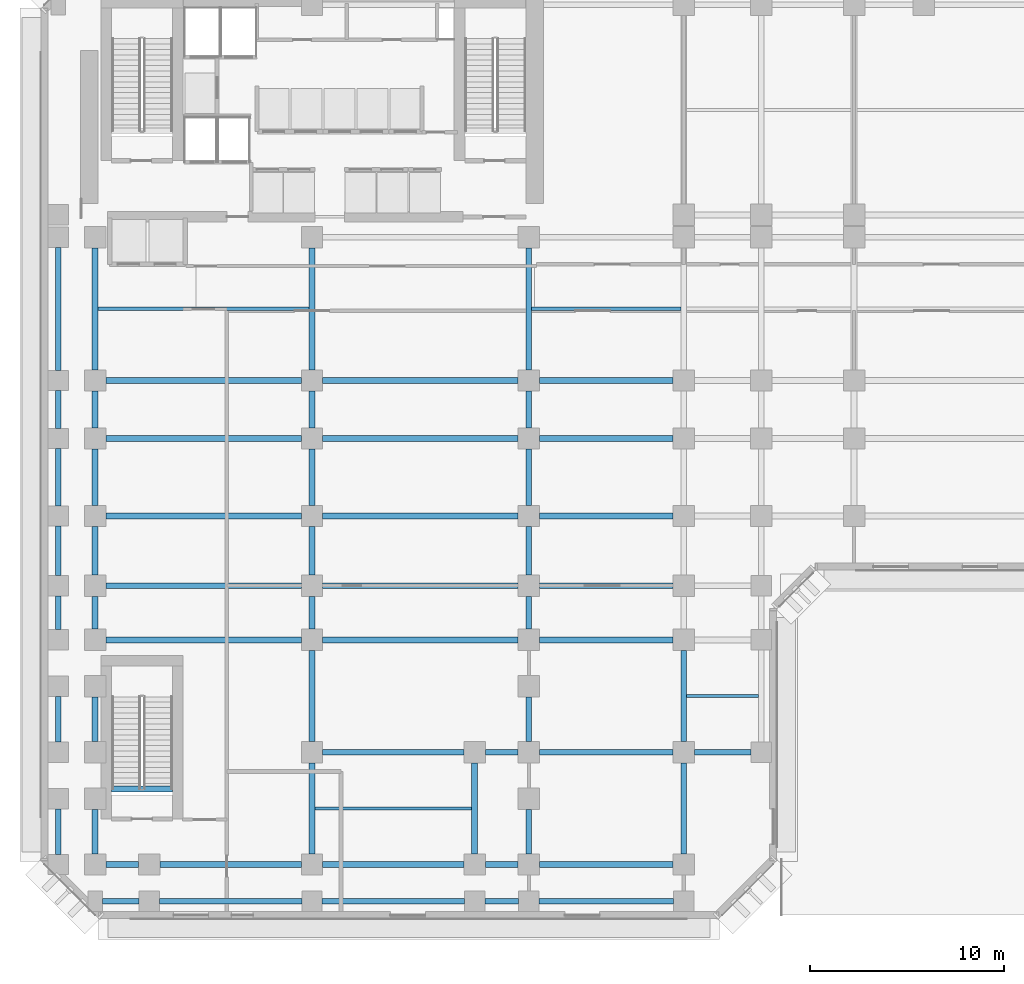
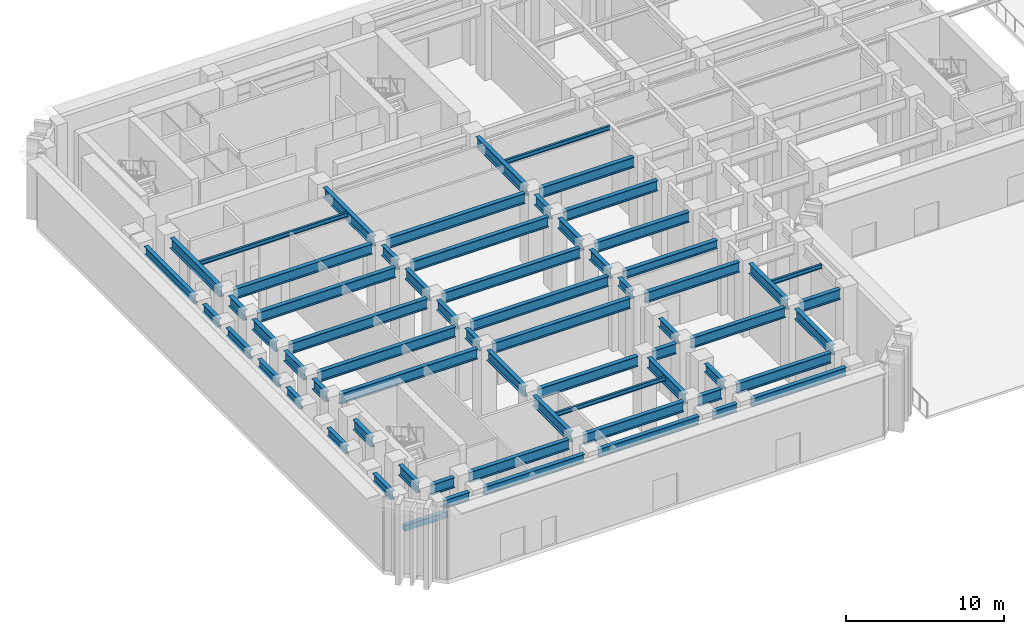
# One storey, part 3 of 18: 65 beams.
"""IFC4 building model written with IfcOpenShell, lengths in metres."""

from ifc_helpers import new_model, si_unit, direction, frame, origin, origin_2d, place, context, subcontext, project, spatial, rectangle, i_section, extrude, material, material_profile, profile_set, type_object, element, save


model = new_model("IFC4")

# Units and contexts
model_context = context("Model", 3, precision=1e-05, world=origin(), true_north=direction((0.0, 1.0)))
body_context = subcontext(model_context, "Body", "Model", "MODEL_VIEW")
ifc_project = project(units=[si_unit("LENGTHUNIT", "METRE"), si_unit("AREAUNIT", "SQUARE_METRE"), si_unit("VOLUMEUNIT", "CUBIC_METRE"), si_unit("PLANEANGLEUNIT", "RADIAN"), si_unit("MASSUNIT", "GRAM", prefix="KILO")], contexts=[model_context])

# Site, building, storey
site_placement = place(None, origin())
site = spatial("IfcSite", under=ifc_project, at=site_placement, CompositionType="ELEMENT")
building_placement = place(site_placement, origin())
building = spatial("IfcBuilding", under=site, at=building_placement, Name="Kefirva Bronze Tower", CompositionType="ELEMENT")
storey_placement = place(building_placement, origin())
storey = spatial("IfcBuildingStorey", under=building, at=storey_placement, Name="L00", CompositionType="ELEMENT", Elevation=0.0)

# Beams
ifc_material_1 = material(Name="Concrete C50/60", Category="concrete")
ifc_material_profile_1 = material_profile(ifc_material_1, rectangle(XDim=0.300048828125, YDim=0.449951171875, at=origin_2d()), Name="RC 300x450")
ifc_profile_set_1 = profile_set([ifc_material_profile_1], Name="Concrete C50/60")
beam_type_1 = type_object("IfcBeamType", Name="RC Stair Trimmer Beam 300x450", PredefinedType="BEAM", material=ifc_profile_set_1)
beam_1_placement = place(storey_placement, frame((1.64501953125, 4.699951171875, -0.22509765625), z_axis=(1.0, 0.0, 0.0), x_axis=(0.0, 1.0, 0.0)))
element("IfcBeam", 1, at=beam_1_placement, inside=storey, type_object=beam_type_1, Name="L00 Stair 3 Landing Trimmer Beam", PredefinedType="BEAM", context=body_context, shape_type="SweptSolid", body=[
    extrude(rectangle(XDim=0.300048828125, YDim=0.449951171875, at=origin_2d()), origin(), (0.0, 0.0, 1.0), 3.14990234375),
])
ifc_material_2 = material(Name="Steel S355", Category="steel")
ifc_material_profile_2 = material_profile(ifc_material_2, i_section(OverallWidth=0.159912109375, OverallDepth=0.330078125, WebThickness=0.007568359375, FlangeThickness=0.011474609375, at=origin_2d()), Name="IPE 330")
ifc_profile_set_2 = profile_set([ifc_material_profile_2], Name="Steel S355")
beam_type_2 = type_object("IfcBeamType", Name="Steel Floor Joist IPE 330", PredefinedType="JOIST", material=ifc_profile_set_2)
beam_2_placement = place(storey_placement, frame((0.949951171875, 29.5, 5.455078125), z_axis=(1.0, 0.0, 0.0), x_axis=(0.0, 1.0, 0.0)))
element("IfcBeam", 2, at=beam_2_placement, inside=storey, type_object=beam_type_2, Name="L00 JST-L00-0-295", PredefinedType="JOIST", context=body_context, shape_type="SweptSolid", body=[
    extrude(i_section(OverallWidth=0.159912109375, OverallDepth=0.330078125, WebThickness=0.007568359375, FlangeThickness=0.011474609375, at=origin_2d()), origin(), (0.0, 0.0, 1.0), 10.900146484375),
])
beam_3_placement = place(storey_placement, frame((12.14990234375, 3.699951171875, 5.455078125), z_axis=(1.0, 0.0, 0.0), x_axis=(0.0, 1.0, 0.0)))
element("IfcBeam", 3, at=beam_3_placement, inside=storey, type_object=beam_type_2, Name="L00 JST-L00-12-37", PredefinedType="JOIST", context=body_context, shape_type="SweptSolid", body=[
    extrude(i_section(OverallWidth=0.159912109375, OverallDepth=0.330078125, WebThickness=0.007568359375, FlangeThickness=0.011474609375, at=origin_2d()), origin(), (0.0, 0.0, 1.0), 8.10009765625),
])
beam_4_placement = place(storey_placement, frame((23.35009765625, 29.5, 5.455078125), z_axis=(1.0, 0.0, 0.0), x_axis=(0.0, 1.0, 0.0)))
element("IfcBeam", 4, at=beam_4_placement, inside=storey, type_object=beam_type_2, Name="L00 JST-L00-23-295", PredefinedType="JOIST", context=body_context, shape_type="SweptSolid", body=[
    extrude(i_section(OverallWidth=0.159912109375, OverallDepth=0.330078125, WebThickness=0.007568359375, FlangeThickness=0.011474609375, at=origin_2d()), origin(), (0.0, 0.0, 1.0), 7.699951171875),
])
beam_5_placement = place(storey_placement, frame((31.35009765625, 9.5, 5.455078125), z_axis=(1.0, 0.0, 0.0), x_axis=(0.0, 1.0, 0.0)))
element("IfcBeam", 5, at=beam_5_placement, inside=storey, type_object=beam_type_2, Name="L00 JST-L00-31-95", PredefinedType="JOIST", context=body_context, shape_type="SweptSolid", body=[
    extrude(i_section(OverallWidth=0.159912109375, OverallDepth=0.330078125, WebThickness=0.007568359375, FlangeThickness=0.011474609375, at=origin_2d()), origin(), (0.0, 0.0, 1.0), 3.699951171875),
])
ifc_material_profile_3 = material_profile(ifc_material_2, i_section(OverallWidth=0.300048828125, OverallDepth=0.800048828125, WebThickness=0.017578125, FlangeThickness=0.032958984375, at=origin_2d()), Name="HEB 800")
ifc_profile_set_3 = profile_set([ifc_material_profile_3], Name="Steel S355")
beam_type_3 = type_object("IfcBeamType", Name="Steel Girder HEB 800", PredefinedType="USERDEFINED", material=ifc_profile_set_3)
beam_6_placement = place(storey_placement, frame((1.35009765625, 0.800048828125, 5.219970703125), z_axis=(1.0, 0.0, 0.0), x_axis=(0.0, 1.0, 0.0)))
element("IfcBeam", 6, at=beam_6_placement, inside=storey, type_object=beam_type_3, Name="L00 BM-L00-EW-0-8", ObjectType="GIRDER", PredefinedType="USERDEFINED", context=body_context, shape_type="SweptSolid", body=[
    extrude(i_section(OverallWidth=0.300048828125, OverallDepth=0.800048828125, WebThickness=0.017578125, FlangeThickness=0.032958984375, at=origin_2d()), origin(), (0.0, 0.0, 1.0), 1.699951171875),
])
for number, where, z_axis, x_axis, name in (
    (7, (4.14990234375, 0.800048828125, 5.219970703125), (1.0, 0.0, 0.0), (0.0, 1.0, 0.0), "L00 BM-L00-EW-3-8"),
    (8, (12.550048828125, 0.800048828125, 5.219970703125), (1.0, 0.0, 0.0), (0.0, 1.0, 0.0), "L00 BM-L00-EW-12-8"),
):
    element("IfcBeam", number, at=place(storey_placement, frame(where, z_axis=z_axis, x_axis=x_axis)), inside=storey, type_object=beam_type_3, Name=name, ObjectType="GIRDER", PredefinedType="USERDEFINED", context=body_context, shape_type="SweptSolid", body=[
        extrude(i_section(OverallWidth=0.300048828125, OverallDepth=0.800048828125, WebThickness=0.017578125, FlangeThickness=0.032958984375, at=origin_2d()), origin(), (0.0, 0.0, 1.0), 7.300048828125),
    ])
beam_7_placement = place(storey_placement, frame((20.949951171875, 0.800048828125, 5.219970703125), z_axis=(1.0, 0.0, 0.0), x_axis=(0.0, 1.0, 0.0)))
element("IfcBeam", 9, at=beam_7_placement, inside=storey, type_object=beam_type_3, Name="L00 BM-L00-EW-20-8", ObjectType="GIRDER", PredefinedType="USERDEFINED", context=body_context, shape_type="SweptSolid", body=[
    extrude(i_section(OverallWidth=0.300048828125, OverallDepth=0.800048828125, WebThickness=0.017578125, FlangeThickness=0.032958984375, at=origin_2d()), origin(), (0.0, 0.0, 1.0), 1.699951171875),
])
beam_8_placement = place(storey_placement, frame((23.75, 0.800048828125, 5.219970703125), z_axis=(1.0, 0.0, 0.0), x_axis=(0.0, 1.0, 0.0)))
element("IfcBeam", 10, at=beam_8_placement, inside=storey, type_object=beam_type_3, Name="L00 BM-L00-EW-23-8", ObjectType="GIRDER", PredefinedType="USERDEFINED", context=body_context, shape_type="SweptSolid", body=[
    extrude(i_section(OverallWidth=0.300048828125, OverallDepth=0.800048828125, WebThickness=0.017578125, FlangeThickness=0.032958984375, at=origin_2d()), origin(), (0.0, 0.0, 1.0), 6.89990234375),
])
beam_9_placement = place(storey_placement, frame((12.550048828125, 6.60009765625, 5.219970703125), z_axis=(1.0, 0.0, 0.0), x_axis=(0.0, 1.0, 0.0)))
element("IfcBeam", 11, at=beam_9_placement, inside=storey, type_object=beam_type_3, Name="L00 BM-L00-EW-12-66", ObjectType="GIRDER", PredefinedType="USERDEFINED", context=body_context, shape_type="SweptSolid", body=[
    extrude(i_section(OverallWidth=0.300048828125, OverallDepth=0.800048828125, WebThickness=0.017578125, FlangeThickness=0.032958984375, at=origin_2d()), origin(), (0.0, 0.0, 1.0), 7.300048828125),
])
beam_10_placement = place(storey_placement, frame((20.949951171875, 6.60009765625, 5.219970703125), z_axis=(1.0, 0.0, 0.0), x_axis=(0.0, 1.0, 0.0)))
element("IfcBeam", 12, at=beam_10_placement, inside=storey, type_object=beam_type_3, Name="L00 BM-L00-EW-20-66", ObjectType="GIRDER", PredefinedType="USERDEFINED", context=body_context, shape_type="SweptSolid", body=[
    extrude(i_section(OverallWidth=0.300048828125, OverallDepth=0.800048828125, WebThickness=0.017578125, FlangeThickness=0.032958984375, at=origin_2d()), origin(), (0.0, 0.0, 1.0), 1.699951171875),
])
beam_11_placement = place(storey_placement, frame((23.75, 6.60009765625, 5.219970703125), z_axis=(1.0, 0.0, 0.0), x_axis=(0.0, 1.0, 0.0)))
element("IfcBeam", 13, at=beam_11_placement, inside=storey, type_object=beam_type_3, Name="L00 BM-L00-EW-23-66", ObjectType="GIRDER", PredefinedType="USERDEFINED", context=body_context, shape_type="SweptSolid", body=[
    extrude(i_section(OverallWidth=0.300048828125, OverallDepth=0.800048828125, WebThickness=0.017578125, FlangeThickness=0.032958984375, at=origin_2d()), origin(), (0.0, 0.0, 1.0), 6.89990234375),
])
beam_12_placement = place(storey_placement, frame((31.75, 6.60009765625, 5.219970703125), z_axis=(1.0, 0.0, 0.0), x_axis=(0.0, 1.0, 0.0)))
element("IfcBeam", 14, at=beam_12_placement, inside=storey, type_object=beam_type_3, Name="L00 BM-L00-EW-31-66", ObjectType="GIRDER", PredefinedType="USERDEFINED", context=body_context, shape_type="SweptSolid", body=[
    extrude(i_section(OverallWidth=0.300048828125, OverallDepth=0.800048828125, WebThickness=0.017578125, FlangeThickness=0.032958984375, at=origin_2d()), origin(), (0.0, 0.0, 1.0), 2.925048828125),
])
for number, where, z_axis, x_axis, name in (
    (15, (1.35009765625, 12.39990234375, 5.219970703125), (1.0, 0.0, 0.0), (0.0, 1.0, 0.0), "L00 BM-L00-EW-0-124"),
    (16, (12.550048828125, 12.39990234375, 5.219970703125), (1.0, 0.0, 0.0), (0.0, 1.0, 0.0), "L00 BM-L00-EW-12-124"),
):
    element("IfcBeam", number, at=place(storey_placement, frame(where, z_axis=z_axis, x_axis=x_axis)), inside=storey, type_object=beam_type_3, Name=name, ObjectType="GIRDER", PredefinedType="USERDEFINED", context=body_context, shape_type="SweptSolid", body=[
        extrude(i_section(OverallWidth=0.300048828125, OverallDepth=0.800048828125, WebThickness=0.017578125, FlangeThickness=0.032958984375, at=origin_2d()), origin(), (0.0, 0.0, 1.0), 10.099853515625),
    ])
beam_13_placement = place(storey_placement, frame((23.75, 12.39990234375, 5.219970703125), z_axis=(1.0, 0.0, 0.0), x_axis=(0.0, 1.0, 0.0)))
element("IfcBeam", 17, at=beam_13_placement, inside=storey, type_object=beam_type_3, Name="L00 BM-L00-EW-23-124", ObjectType="GIRDER", PredefinedType="USERDEFINED", context=body_context, shape_type="SweptSolid", body=[
    extrude(i_section(OverallWidth=0.300048828125, OverallDepth=0.800048828125, WebThickness=0.017578125, FlangeThickness=0.032958984375, at=origin_2d()), origin(), (0.0, 0.0, 1.0), 6.89990234375),
])
for number, where, z_axis, x_axis, name in (
    (18, (1.35009765625, 15.199951171875, 5.219970703125), (1.0, 0.0, 0.0), (0.0, 1.0, 0.0), "L00 BM-L00-EW-0-152"),
    (19, (12.550048828125, 15.199951171875, 5.219970703125), (1.0, 0.0, 0.0), (0.0, 1.0, 0.0), "L00 BM-L00-EW-12-152"),
    (20, (1.35009765625, 18.800048828125, 5.219970703125), (1.0, 0.0, 0.0), (0.0, 1.0, 0.0), "L00 BM-L00-EW-0-188"),
    (21, (12.550048828125, 18.800048828125, 5.219970703125), (1.0, 0.0, 0.0), (0.0, 1.0, 0.0), "L00 BM-L00-EW-12-188"),
):
    element("IfcBeam", number, at=place(storey_placement, frame(where, z_axis=z_axis, x_axis=x_axis)), inside=storey, type_object=beam_type_3, Name=name, ObjectType="GIRDER", PredefinedType="USERDEFINED", context=body_context, shape_type="SweptSolid", body=[
        extrude(i_section(OverallWidth=0.300048828125, OverallDepth=0.800048828125, WebThickness=0.017578125, FlangeThickness=0.032958984375, at=origin_2d()), origin(), (0.0, 0.0, 1.0), 10.099853515625),
    ])
beam_14_placement = place(storey_placement, frame((23.75, 18.800048828125, 5.219970703125), z_axis=(1.0, 0.0, 0.0), x_axis=(0.0, 1.0, 0.0)))
element("IfcBeam", 22, at=beam_14_placement, inside=storey, type_object=beam_type_3, Name="L00 BM-L00-EW-23-188", ObjectType="GIRDER", PredefinedType="USERDEFINED", context=body_context, shape_type="SweptSolid", body=[
    extrude(i_section(OverallWidth=0.300048828125, OverallDepth=0.800048828125, WebThickness=0.017578125, FlangeThickness=0.032958984375, at=origin_2d()), origin(), (0.0, 0.0, 1.0), 6.89990234375),
])
for number, where, z_axis, x_axis, name in (
    (23, (1.35009765625, 22.800048828125, 5.219970703125), (1.0, 0.0, 0.0), (0.0, 1.0, 0.0), "L00 BM-L00-EW-0-228"),
    (24, (12.550048828125, 22.800048828125, 5.219970703125), (1.0, 0.0, 0.0), (0.0, 1.0, 0.0), "L00 BM-L00-EW-12-228"),
):
    element("IfcBeam", number, at=place(storey_placement, frame(where, z_axis=z_axis, x_axis=x_axis)), inside=storey, type_object=beam_type_3, Name=name, ObjectType="GIRDER", PredefinedType="USERDEFINED", context=body_context, shape_type="SweptSolid", body=[
        extrude(i_section(OverallWidth=0.300048828125, OverallDepth=0.800048828125, WebThickness=0.017578125, FlangeThickness=0.032958984375, at=origin_2d()), origin(), (0.0, 0.0, 1.0), 10.099853515625),
    ])
beam_15_placement = place(storey_placement, frame((23.75, 22.800048828125, 5.219970703125), z_axis=(1.0, 0.0, 0.0), x_axis=(0.0, 1.0, 0.0)))
element("IfcBeam", 25, at=beam_15_placement, inside=storey, type_object=beam_type_3, Name="L00 BM-L00-EW-23-228", ObjectType="GIRDER", PredefinedType="USERDEFINED", context=body_context, shape_type="SweptSolid", body=[
    extrude(i_section(OverallWidth=0.300048828125, OverallDepth=0.800048828125, WebThickness=0.017578125, FlangeThickness=0.032958984375, at=origin_2d()), origin(), (0.0, 0.0, 1.0), 6.89990234375),
])
for number, where, z_axis, x_axis, name in (
    (26, (1.35009765625, 25.800048828125, 5.219970703125), (1.0, 0.0, 0.0), (0.0, 1.0, 0.0), "L00 BM-L00-EW-0-258"),
    (27, (12.550048828125, 25.800048828125, 5.219970703125), (1.0, 0.0, 0.0), (0.0, 1.0, 0.0), "L00 BM-L00-EW-12-258"),
):
    element("IfcBeam", number, at=place(storey_placement, frame(where, z_axis=z_axis, x_axis=x_axis)), inside=storey, type_object=beam_type_3, Name=name, ObjectType="GIRDER", PredefinedType="USERDEFINED", context=body_context, shape_type="SweptSolid", body=[
        extrude(i_section(OverallWidth=0.300048828125, OverallDepth=0.800048828125, WebThickness=0.017578125, FlangeThickness=0.032958984375, at=origin_2d()), origin(), (0.0, 0.0, 1.0), 10.099853515625),
    ])
beam_16_placement = place(storey_placement, frame((23.75, 25.800048828125, 5.219970703125), z_axis=(1.0, 0.0, 0.0), x_axis=(0.0, 1.0, 0.0)))
element("IfcBeam", 28, at=beam_16_placement, inside=storey, type_object=beam_type_3, Name="L00 BM-L00-EW-23-258", ObjectType="GIRDER", PredefinedType="USERDEFINED", context=body_context, shape_type="SweptSolid", body=[
    extrude(i_section(OverallWidth=0.300048828125, OverallDepth=0.800048828125, WebThickness=0.017578125, FlangeThickness=0.032958984375, at=origin_2d()), origin(), (0.0, 0.0, 1.0), 6.89990234375),
])
beam_17_placement = place(storey_placement, frame((0.800048828125, 1.35009765625, 5.219970703125), z_axis=(0.0, 1.0, 0.0), x_axis=(-1.0, 0.0, 0.0)))
element("IfcBeam", 29, at=beam_17_placement, inside=storey, type_object=beam_type_3, Name="L00 BM-L00-NS-8-0", ObjectType="GIRDER", PredefinedType="USERDEFINED", context=body_context, shape_type="SweptSolid", body=[
    extrude(i_section(OverallWidth=0.300048828125, OverallDepth=0.800048828125, WebThickness=0.017578125, FlangeThickness=0.032958984375, at=origin_2d()), origin(), (0.0, 0.0, 1.0), 2.2998046875),
])
beam_18_placement = place(storey_placement, frame((0.800048828125, 7.14990234375, 5.219970703125), z_axis=(0.0, 1.0, 0.0), x_axis=(-1.0, 0.0, 0.0)))
element("IfcBeam", 30, at=beam_18_placement, inside=storey, type_object=beam_type_3, Name="L00 BM-L00-NS-8-6", ObjectType="GIRDER", PredefinedType="USERDEFINED", context=body_context, shape_type="SweptSolid", body=[
    extrude(i_section(OverallWidth=0.300048828125, OverallDepth=0.800048828125, WebThickness=0.017578125, FlangeThickness=0.032958984375, at=origin_2d()), origin(), (0.0, 0.0, 1.0), 2.300048828125),
])
beam_19_placement = place(storey_placement, frame((0.800048828125, 12.949951171875, 5.219970703125), z_axis=(0.0, 1.0, 0.0), x_axis=(-1.0, 0.0, 0.0)))
element("IfcBeam", 31, at=beam_19_placement, inside=storey, type_object=beam_type_3, Name="L00 BM-L00-NS-8-12", ObjectType="GIRDER", PredefinedType="USERDEFINED", context=body_context, shape_type="SweptSolid", body=[
    extrude(i_section(OverallWidth=0.300048828125, OverallDepth=0.800048828125, WebThickness=0.017578125, FlangeThickness=0.032958984375, at=origin_2d()), origin(), (0.0, 0.0, 1.0), 1.699951171875),
])
beam_20_placement = place(storey_placement, frame((0.800048828125, 15.75, 5.219970703125), z_axis=(0.0, 1.0, 0.0), x_axis=(-1.0, 0.0, 0.0)))
element("IfcBeam", 32, at=beam_20_placement, inside=storey, type_object=beam_type_3, Name="L00 BM-L00-NS-8-15", ObjectType="GIRDER", PredefinedType="USERDEFINED", context=body_context, shape_type="SweptSolid", body=[
    extrude(i_section(OverallWidth=0.300048828125, OverallDepth=0.800048828125, WebThickness=0.017578125, FlangeThickness=0.032958984375, at=origin_2d()), origin(), (0.0, 0.0, 1.0), 2.5),
])
beam_21_placement = place(storey_placement, frame((0.800048828125, 19.35009765625, 5.219970703125), z_axis=(0.0, 1.0, 0.0), x_axis=(-1.0, 0.0, 0.0)))
element("IfcBeam", 33, at=beam_21_placement, inside=storey, type_object=beam_type_3, Name="L00 BM-L00-NS-8-18", ObjectType="GIRDER", PredefinedType="USERDEFINED", context=body_context, shape_type="SweptSolid", body=[
    extrude(i_section(OverallWidth=0.300048828125, OverallDepth=0.800048828125, WebThickness=0.017578125, FlangeThickness=0.032958984375, at=origin_2d()), origin(), (0.0, 0.0, 1.0), 2.89990234375),
])
beam_22_placement = place(storey_placement, frame((0.800048828125, 23.35009765625, 5.219970703125), z_axis=(0.0, 1.0, 0.0), x_axis=(-1.0, 0.0, 0.0)))
element("IfcBeam", 34, at=beam_22_placement, inside=storey, type_object=beam_type_3, Name="L00 BM-L00-NS-8-22", ObjectType="GIRDER", PredefinedType="USERDEFINED", context=body_context, shape_type="SweptSolid", body=[
    extrude(i_section(OverallWidth=0.300048828125, OverallDepth=0.800048828125, WebThickness=0.017578125, FlangeThickness=0.032958984375, at=origin_2d()), origin(), (0.0, 0.0, 1.0), 1.89990234375),
])
beam_23_placement = place(storey_placement, frame((0.800048828125, 26.35009765625, 5.219970703125), z_axis=(0.0, 1.0, 0.0), x_axis=(-1.0, 0.0, 0.0)))
element("IfcBeam", 35, at=beam_23_placement, inside=storey, type_object=beam_type_3, Name="L00 BM-L00-NS-8-25", ObjectType="GIRDER", PredefinedType="USERDEFINED", context=body_context, shape_type="SweptSolid", body=[
    extrude(i_section(OverallWidth=0.300048828125, OverallDepth=0.800048828125, WebThickness=0.017578125, FlangeThickness=0.032958984375, at=origin_2d()), origin(), (0.0, 0.0, 1.0), 6.2998046875),
])
beam_24_placement = place(storey_placement, frame((12.0, 1.35009765625, 5.219970703125), z_axis=(0.0, 1.0, 0.0), x_axis=(-1.0, 0.0, 0.0)))
element("IfcBeam", 36, at=beam_24_placement, inside=storey, type_object=beam_type_3, Name="L00 BM-L00-NS-120-0", ObjectType="GIRDER", PredefinedType="USERDEFINED", context=body_context, shape_type="SweptSolid", body=[
    extrude(i_section(OverallWidth=0.300048828125, OverallDepth=0.800048828125, WebThickness=0.017578125, FlangeThickness=0.032958984375, at=origin_2d()), origin(), (0.0, 0.0, 1.0), 4.699951171875),
])
beam_25_placement = place(storey_placement, frame((12.0, 7.14990234375, 5.219970703125), z_axis=(0.0, 1.0, 0.0), x_axis=(-1.0, 0.0, 0.0)))
element("IfcBeam", 37, at=beam_25_placement, inside=storey, type_object=beam_type_3, Name="L00 BM-L00-NS-120-6", ObjectType="GIRDER", PredefinedType="USERDEFINED", context=body_context, shape_type="SweptSolid", body=[
    extrude(i_section(OverallWidth=0.300048828125, OverallDepth=0.800048828125, WebThickness=0.017578125, FlangeThickness=0.032958984375, at=origin_2d()), origin(), (0.0, 0.0, 1.0), 4.7001953125),
])
beam_26_placement = place(storey_placement, frame((12.0, 12.949951171875, 5.219970703125), z_axis=(0.0, 1.0, 0.0), x_axis=(-1.0, 0.0, 0.0)))
element("IfcBeam", 38, at=beam_26_placement, inside=storey, type_object=beam_type_3, Name="L00 BM-L00-NS-120-12", ObjectType="GIRDER", PredefinedType="USERDEFINED", context=body_context, shape_type="SweptSolid", body=[
    extrude(i_section(OverallWidth=0.300048828125, OverallDepth=0.800048828125, WebThickness=0.017578125, FlangeThickness=0.032958984375, at=origin_2d()), origin(), (0.0, 0.0, 1.0), 1.699951171875),
])
beam_27_placement = place(storey_placement, frame((12.0, 15.75, 5.219970703125), z_axis=(0.0, 1.0, 0.0), x_axis=(-1.0, 0.0, 0.0)))
element("IfcBeam", 39, at=beam_27_placement, inside=storey, type_object=beam_type_3, Name="L00 BM-L00-NS-120-15", ObjectType="GIRDER", PredefinedType="USERDEFINED", context=body_context, shape_type="SweptSolid", body=[
    extrude(i_section(OverallWidth=0.300048828125, OverallDepth=0.800048828125, WebThickness=0.017578125, FlangeThickness=0.032958984375, at=origin_2d()), origin(), (0.0, 0.0, 1.0), 2.5),
])
beam_28_placement = place(storey_placement, frame((12.0, 19.35009765625, 5.219970703125), z_axis=(0.0, 1.0, 0.0), x_axis=(-1.0, 0.0, 0.0)))
element("IfcBeam", 40, at=beam_28_placement, inside=storey, type_object=beam_type_3, Name="L00 BM-L00-NS-120-18", ObjectType="GIRDER", PredefinedType="USERDEFINED", context=body_context, shape_type="SweptSolid", body=[
    extrude(i_section(OverallWidth=0.300048828125, OverallDepth=0.800048828125, WebThickness=0.017578125, FlangeThickness=0.032958984375, at=origin_2d()), origin(), (0.0, 0.0, 1.0), 2.89990234375),
])
beam_29_placement = place(storey_placement, frame((12.0, 23.35009765625, 5.219970703125), z_axis=(0.0, 1.0, 0.0), x_axis=(-1.0, 0.0, 0.0)))
element("IfcBeam", 41, at=beam_29_placement, inside=storey, type_object=beam_type_3, Name="L00 BM-L00-NS-120-22", ObjectType="GIRDER", PredefinedType="USERDEFINED", context=body_context, shape_type="SweptSolid", body=[
    extrude(i_section(OverallWidth=0.300048828125, OverallDepth=0.800048828125, WebThickness=0.017578125, FlangeThickness=0.032958984375, at=origin_2d()), origin(), (0.0, 0.0, 1.0), 1.89990234375),
])
beam_30_placement = place(storey_placement, frame((12.0, 26.35009765625, 5.219970703125), z_axis=(0.0, 1.0, 0.0), x_axis=(-1.0, 0.0, 0.0)))
element("IfcBeam", 42, at=beam_30_placement, inside=storey, type_object=beam_type_3, Name="L00 BM-L00-NS-120-25", ObjectType="GIRDER", PredefinedType="USERDEFINED", context=body_context, shape_type="SweptSolid", body=[
    extrude(i_section(OverallWidth=0.300048828125, OverallDepth=0.800048828125, WebThickness=0.017578125, FlangeThickness=0.032958984375, at=origin_2d()), origin(), (0.0, 0.0, 1.0), 6.2998046875),
])
beam_31_placement = place(storey_placement, frame((20.39990234375, 1.35009765625, 5.219970703125), z_axis=(0.0, 1.0, 0.0), x_axis=(-1.0, 0.0, 0.0)))
element("IfcBeam", 43, at=beam_31_placement, inside=storey, type_object=beam_type_3, Name="L00 BM-L00-NS-204-0", ObjectType="GIRDER", PredefinedType="USERDEFINED", context=body_context, shape_type="SweptSolid", body=[
    extrude(i_section(OverallWidth=0.300048828125, OverallDepth=0.800048828125, WebThickness=0.017578125, FlangeThickness=0.032958984375, at=origin_2d()), origin(), (0.0, 0.0, 1.0), 4.699951171875),
])
beam_32_placement = place(storey_placement, frame((23.199951171875, 15.75, 5.219970703125), z_axis=(0.0, 1.0, 0.0), x_axis=(-1.0, 0.0, 0.0)))
element("IfcBeam", 44, at=beam_32_placement, inside=storey, type_object=beam_type_3, Name="L00 BM-L00-NS-232-15", ObjectType="GIRDER", PredefinedType="USERDEFINED", context=body_context, shape_type="SweptSolid", body=[
    extrude(i_section(OverallWidth=0.300048828125, OverallDepth=0.800048828125, WebThickness=0.017578125, FlangeThickness=0.032958984375, at=origin_2d()), origin(), (0.0, 0.0, 1.0), 2.5),
])
beam_33_placement = place(storey_placement, frame((23.199951171875, 19.35009765625, 5.219970703125), z_axis=(0.0, 1.0, 0.0), x_axis=(-1.0, 0.0, 0.0)))
element("IfcBeam", 45, at=beam_33_placement, inside=storey, type_object=beam_type_3, Name="L00 BM-L00-NS-232-18", ObjectType="GIRDER", PredefinedType="USERDEFINED", context=body_context, shape_type="SweptSolid", body=[
    extrude(i_section(OverallWidth=0.300048828125, OverallDepth=0.800048828125, WebThickness=0.017578125, FlangeThickness=0.032958984375, at=origin_2d()), origin(), (0.0, 0.0, 1.0), 2.89990234375),
])
beam_34_placement = place(storey_placement, frame((23.199951171875, 23.35009765625, 5.219970703125), z_axis=(0.0, 1.0, 0.0), x_axis=(-1.0, 0.0, 0.0)))
element("IfcBeam", 46, at=beam_34_placement, inside=storey, type_object=beam_type_3, Name="L00 BM-L00-NS-232-22", ObjectType="GIRDER", PredefinedType="USERDEFINED", context=body_context, shape_type="SweptSolid", body=[
    extrude(i_section(OverallWidth=0.300048828125, OverallDepth=0.800048828125, WebThickness=0.017578125, FlangeThickness=0.032958984375, at=origin_2d()), origin(), (0.0, 0.0, 1.0), 1.89990234375),
])
beam_35_placement = place(storey_placement, frame((23.199951171875, 26.35009765625, 5.219970703125), z_axis=(0.0, 1.0, 0.0), x_axis=(-1.0, 0.0, 0.0)))
element("IfcBeam", 47, at=beam_35_placement, inside=storey, type_object=beam_type_3, Name="L00 BM-L00-NS-232-25", ObjectType="GIRDER", PredefinedType="USERDEFINED", context=body_context, shape_type="SweptSolid", body=[
    extrude(i_section(OverallWidth=0.300048828125, OverallDepth=0.800048828125, WebThickness=0.017578125, FlangeThickness=0.032958984375, at=origin_2d()), origin(), (0.0, 0.0, 1.0), 6.2998046875),
])
beam_36_placement = place(storey_placement, frame((31.199951171875, 1.35009765625, 5.219970703125), z_axis=(0.0, 1.0, 0.0), x_axis=(-1.0, 0.0, 0.0)))
element("IfcBeam", 48, at=beam_36_placement, inside=storey, type_object=beam_type_3, Name="L00 BM-L00-NS-312-0", ObjectType="GIRDER", PredefinedType="USERDEFINED", context=body_context, shape_type="SweptSolid", body=[
    extrude(i_section(OverallWidth=0.300048828125, OverallDepth=0.800048828125, WebThickness=0.017578125, FlangeThickness=0.032958984375, at=origin_2d()), origin(), (0.0, 0.0, 1.0), 4.699951171875),
])
beam_37_placement = place(storey_placement, frame((31.199951171875, 7.14990234375, 5.219970703125), z_axis=(0.0, 1.0, 0.0), x_axis=(-1.0, 0.0, 0.0)))
element("IfcBeam", 49, at=beam_37_placement, inside=storey, type_object=beam_type_3, Name="L00 BM-L00-NS-312-6", ObjectType="GIRDER", PredefinedType="USERDEFINED", context=body_context, shape_type="SweptSolid", body=[
    extrude(i_section(OverallWidth=0.300048828125, OverallDepth=0.800048828125, WebThickness=0.017578125, FlangeThickness=0.032958984375, at=origin_2d()), origin(), (0.0, 0.0, 1.0), 4.7001953125),
])
ifc_material_profile_4 = material_profile(ifc_material_2, i_section(OverallWidth=0.300048828125, OverallDepth=0.64990234375, WebThickness=0.01611328125, FlangeThickness=0.031005859375, at=origin_2d()), Name="HEB 650")
ifc_profile_set_4 = profile_set([ifc_material_profile_4], Name="Steel S355")
beam_type_4 = type_object("IfcBeamType", Name="Steel Spandrel HEB 650 Ext", PredefinedType="SPANDREL", material=ifc_profile_set_4)
beam_38_placement = place(storey_placement, frame((1.179931640625, -1.10009765625, 5.294921875), z_axis=(1.0, 0.0, 0.0), x_axis=(0.0, 1.0, 0.0)))
element("IfcBeam", 50, at=beam_38_placement, inside=storey, type_object=beam_type_4, Name="L00 BM-L00-EW-0--11", PredefinedType="SPANDREL", context=body_context, shape_type="SweptSolid", body=[
    extrude(i_section(OverallWidth=0.300048828125, OverallDepth=0.64990234375, WebThickness=0.01611328125, FlangeThickness=0.031005859375, at=origin_2d()), origin(), (0.0, 0.0, 1.0), 1.89501953125),
])
for number, where, z_axis, x_axis, name in (
    (51, (4.125, -1.10009765625, 5.294921875), (1.0, 0.0, 0.0), (0.0, 1.0, 0.0), "L00 BM-L00-EW-3--11"),
    (52, (12.52490234375, -1.10009765625, 5.294921875), (1.0, 0.0, 0.0), (0.0, 1.0, 0.0), "L00 BM-L00-EW-12--11"),
):
    element("IfcBeam", number, at=place(storey_placement, frame(where, z_axis=z_axis, x_axis=x_axis)), inside=storey, type_object=beam_type_4, Name=name, PredefinedType="SPANDREL", context=body_context, shape_type="SweptSolid", body=[
        extrude(i_section(OverallWidth=0.300048828125, OverallDepth=0.64990234375, WebThickness=0.01611328125, FlangeThickness=0.031005859375, at=origin_2d()), origin(), (0.0, 0.0, 1.0), 7.35009765625),
    ])
beam_39_placement = place(storey_placement, frame((20.925048828125, -1.10009765625, 5.294921875), z_axis=(1.0, 0.0, 0.0), x_axis=(0.0, 1.0, 0.0)))
element("IfcBeam", 53, at=beam_39_placement, inside=storey, type_object=beam_type_4, Name="L00 BM-L00-EW-20--11", PredefinedType="SPANDREL", context=body_context, shape_type="SweptSolid", body=[
    extrude(i_section(OverallWidth=0.300048828125, OverallDepth=0.64990234375, WebThickness=0.01611328125, FlangeThickness=0.031005859375, at=origin_2d()), origin(), (0.0, 0.0, 1.0), 1.75),
])
beam_40_placement = place(storey_placement, frame((23.72509765625, -1.10009765625, 5.294921875), z_axis=(1.0, 0.0, 0.0), x_axis=(0.0, 1.0, 0.0)))
element("IfcBeam", 54, at=beam_40_placement, inside=storey, type_object=beam_type_4, Name="L00 BM-L00-EW-23--11", PredefinedType="SPANDREL", context=body_context, shape_type="SweptSolid", body=[
    extrude(i_section(OverallWidth=0.300048828125, OverallDepth=0.64990234375, WebThickness=0.01611328125, FlangeThickness=0.031005859375, at=origin_2d()), origin(), (0.0, 0.0, 1.0), 6.949951171875),
])
beam_41_placement = place(storey_placement, frame((23.75, 15.199951171875, 5.294921875), z_axis=(1.0, 0.0, 0.0), x_axis=(0.0, 1.0, 0.0)))
element("IfcBeam", 55, at=beam_41_placement, inside=storey, type_object=beam_type_4, Name="L00 BM-L00-EW-23-152", PredefinedType="SPANDREL", context=body_context, shape_type="SweptSolid", body=[
    extrude(i_section(OverallWidth=0.300048828125, OverallDepth=0.64990234375, WebThickness=0.01611328125, FlangeThickness=0.031005859375, at=origin_2d()), origin(), (0.0, 0.0, 1.0), 6.89990234375),
])
for number, where, z_axis, x_axis, name in (
    (56, (-1.10009765625, 1.324951171875, 5.294921875), (0.0, 1.0, 0.0), (-1.0, 0.0, 0.0), "L00 BM-L00-NS--11-0"),
    (57, (-1.10009765625, 7.125, 5.294921875), (0.0, 1.0, 0.0), (-1.0, 0.0, 0.0), "L00 BM-L00-NS--11-6"),
):
    element("IfcBeam", number, at=place(storey_placement, frame(where, z_axis=z_axis, x_axis=x_axis)), inside=storey, type_object=beam_type_4, Name=name, PredefinedType="SPANDREL", context=body_context, shape_type="SweptSolid", body=[
        extrude(i_section(OverallWidth=0.300048828125, OverallDepth=0.64990234375, WebThickness=0.01611328125, FlangeThickness=0.031005859375, at=origin_2d()), origin(), (0.0, 0.0, 1.0), 2.35009765625),
    ])
beam_42_placement = place(storey_placement, frame((-1.10009765625, 12.925048828125, 5.294921875), z_axis=(0.0, 1.0, 0.0), x_axis=(-1.0, 0.0, 0.0)))
element("IfcBeam", 58, at=beam_42_placement, inside=storey, type_object=beam_type_4, Name="L00 BM-L00-NS--11-12", PredefinedType="SPANDREL", context=body_context, shape_type="SweptSolid", body=[
    extrude(i_section(OverallWidth=0.300048828125, OverallDepth=0.64990234375, WebThickness=0.01611328125, FlangeThickness=0.031005859375, at=origin_2d()), origin(), (0.0, 0.0, 1.0), 1.75),
])
beam_43_placement = place(storey_placement, frame((-1.10009765625, 15.72509765625, 5.294921875), z_axis=(0.0, 1.0, 0.0), x_axis=(-1.0, 0.0, 0.0)))
element("IfcBeam", 59, at=beam_43_placement, inside=storey, type_object=beam_type_4, Name="L00 BM-L00-NS--11-15", PredefinedType="SPANDREL", context=body_context, shape_type="SweptSolid", body=[
    extrude(i_section(OverallWidth=0.300048828125, OverallDepth=0.64990234375, WebThickness=0.01611328125, FlangeThickness=0.031005859375, at=origin_2d()), origin(), (0.0, 0.0, 1.0), 2.5498046875),
])
beam_44_placement = place(storey_placement, frame((-1.10009765625, 19.324951171875, 5.294921875), z_axis=(0.0, 1.0, 0.0), x_axis=(-1.0, 0.0, 0.0)))
element("IfcBeam", 60, at=beam_44_placement, inside=storey, type_object=beam_type_4, Name="L00 BM-L00-NS--11-18", PredefinedType="SPANDREL", context=body_context, shape_type="SweptSolid", body=[
    extrude(i_section(OverallWidth=0.300048828125, OverallDepth=0.64990234375, WebThickness=0.01611328125, FlangeThickness=0.031005859375, at=origin_2d()), origin(), (0.0, 0.0, 1.0), 2.949951171875),
])
beam_45_placement = place(storey_placement, frame((-1.10009765625, 23.324951171875, 5.294921875), z_axis=(0.0, 1.0, 0.0), x_axis=(-1.0, 0.0, 0.0)))
element("IfcBeam", 61, at=beam_45_placement, inside=storey, type_object=beam_type_4, Name="L00 BM-L00-NS--11-22", PredefinedType="SPANDREL", context=body_context, shape_type="SweptSolid", body=[
    extrude(i_section(OverallWidth=0.300048828125, OverallDepth=0.64990234375, WebThickness=0.01611328125, FlangeThickness=0.031005859375, at=origin_2d()), origin(), (0.0, 0.0, 1.0), 1.949951171875),
])
beam_46_placement = place(storey_placement, frame((-1.10009765625, 26.324951171875, 5.294921875), z_axis=(0.0, 1.0, 0.0), x_axis=(-1.0, 0.0, 0.0)))
element("IfcBeam", 62, at=beam_46_placement, inside=storey, type_object=beam_type_4, Name="L00 BM-L00-NS--11-25", PredefinedType="SPANDREL", context=body_context, shape_type="SweptSolid", body=[
    extrude(i_section(OverallWidth=0.300048828125, OverallDepth=0.64990234375, WebThickness=0.01611328125, FlangeThickness=0.031005859375, at=origin_2d()), origin(), (0.0, 0.0, 1.0), 6.35009765625),
])
beam_47_placement = place(storey_placement, frame((23.199951171875, 1.35009765625, 5.294921875), z_axis=(0.0, 1.0, 0.0), x_axis=(-1.0, 0.0, 0.0)))
element("IfcBeam", 63, at=beam_47_placement, inside=storey, type_object=beam_type_4, Name="L00 BM-L00-NS-232-0", PredefinedType="SPANDREL", context=body_context, shape_type="SweptSolid", body=[
    extrude(i_section(OverallWidth=0.300048828125, OverallDepth=0.64990234375, WebThickness=0.01611328125, FlangeThickness=0.031005859375, at=origin_2d()), origin(), (0.0, 0.0, 1.0), 2.2998046875),
])
beam_48_placement = place(storey_placement, frame((23.199951171875, 7.14990234375, 5.294921875), z_axis=(0.0, 1.0, 0.0), x_axis=(-1.0, 0.0, 0.0)))
element("IfcBeam", 64, at=beam_48_placement, inside=storey, type_object=beam_type_4, Name="L00 BM-L00-NS-232-6", PredefinedType="SPANDREL", context=body_context, shape_type="SweptSolid", body=[
    extrude(i_section(OverallWidth=0.300048828125, OverallDepth=0.64990234375, WebThickness=0.01611328125, FlangeThickness=0.031005859375, at=origin_2d()), origin(), (0.0, 0.0, 1.0), 2.300048828125),
])
beam_49_placement = place(storey_placement, frame((23.199951171875, 12.949951171875, 5.294921875), z_axis=(0.0, 1.0, 0.0), x_axis=(-1.0, 0.0, 0.0)))
element("IfcBeam", 65, at=beam_49_placement, inside=storey, type_object=beam_type_4, Name="L00 BM-L00-NS-232-12", PredefinedType="SPANDREL", context=body_context, shape_type="SweptSolid", body=[
    extrude(i_section(OverallWidth=0.300048828125, OverallDepth=0.64990234375, WebThickness=0.01611328125, FlangeThickness=0.031005859375, at=origin_2d()), origin(), (0.0, 0.0, 1.0), 1.699951171875),
])

save(model, "model.ifc")
